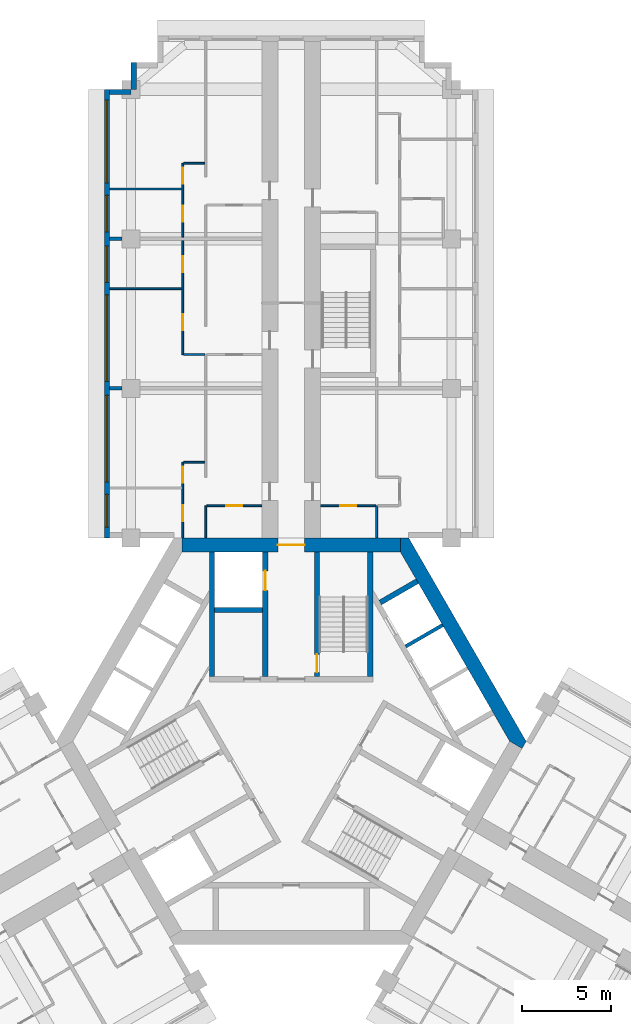
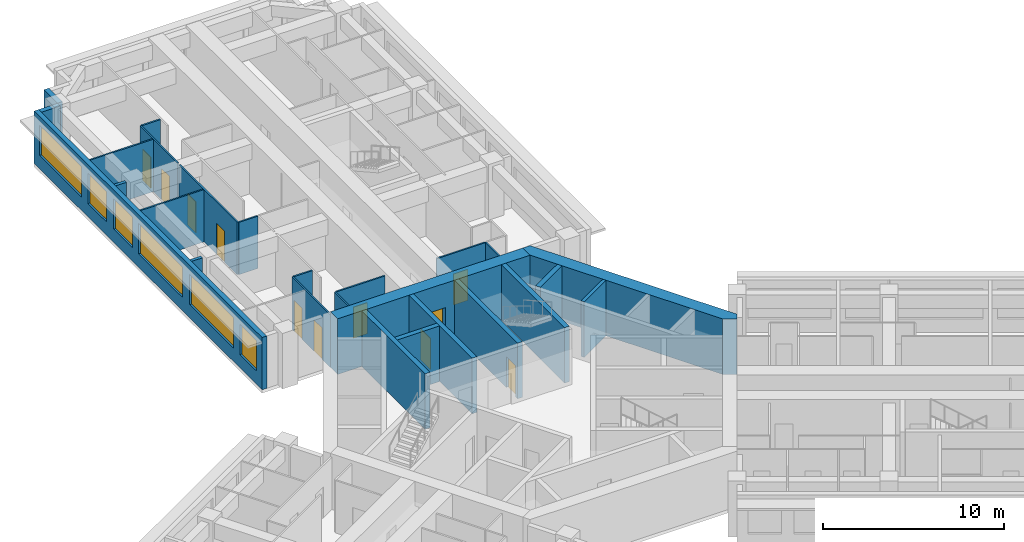
# One storey, part 8 of 12: 26 walls, 11 doors, 6 windows, 17 openings.
"""IFC4 building model written with IfcOpenShell, lengths in metres."""

from ifc_helpers import new_model, si_unit, direction, frame, frame_2d, origin, place, context, subcontext, project, spatial, polyline, rectangle, outline, extrude, material, layer, layer_set, type_object, element, fill, save


model = new_model("IFC4")

# Units and contexts
model_context = context("Model", 3, precision=1e-05, world=origin(), true_north=direction((0.0, 1.0)))
body_context = subcontext(model_context, "Body", "Model", "MODEL_VIEW")
ifc_project = project(units=[si_unit("LENGTHUNIT", "METRE"), si_unit("AREAUNIT", "SQUARE_METRE"), si_unit("VOLUMEUNIT", "CUBIC_METRE"), si_unit("PLANEANGLEUNIT", "RADIAN"), si_unit("MASSUNIT", "GRAM", prefix="KILO")], contexts=[model_context])

# Site, building, storey
site_placement = place(None, origin())
site = spatial("IfcSite", under=ifc_project, at=site_placement, CompositionType="ELEMENT")
building_placement = place(site_placement, origin())
building = spatial("IfcBuilding", under=site, at=building_placement, Name="Impinga Residences", CompositionType="ELEMENT")
storey_placement = place(building_placement, frame((0.0, 0.0, 162.25)))
storey = spatial("IfcBuildingStorey", under=building, at=storey_placement, Name="L40", CompositionType="ELEMENT", Elevation=162.25)

# Wall, openings, windows
ifc_material_1 = material(Name="Terracotta rainscreen on blockwork", Category="masonry")
ifc_layer_1 = layer(ifc_material_1, 0.300048828125)
ifc_layer_set_1 = layer_set([ifc_layer_1], Name="EW1 external wall, terracotta rainscreen on blockwork 300")
wall_type_1 = type_object("IfcWallType", Name="EW1 external wall, terracotta rainscreen on blockwork 300", PredefinedType="SOLIDWALL", material=ifc_layer_set_1)
wall_1_placement = place(storey_placement, frame((-10.35009765625, 11.431640625, 0.0), z_axis=(0.0, 0.0, 1.0), x_axis=(0.0, 1.0, 0.0)))
wall_1 = element("IfcWall", 1, at=wall_1_placement, inside=storey, type_object=wall_type_1, Name="External wall EW1 L40", PredefinedType="SOLIDWALL", context=body_context, shape_type="SweptSolid", body=[
    extrude(rectangle(XDim=25.199951171875, YDim=0.300048828125, at=frame_2d((12.60009765625, 0.0))), origin(), (0.0, 0.0, 1.0), 3.530029296875),
])
opening_1_placement = place(wall_1_placement, frame((0.60009765625, 0.0, 0.89990234375)))
opening_1 = element("IfcOpeningElement", 2, at=opening_1_placement, cuts=wall_1, Name="Opening W15", PredefinedType="OPENING", context=body_context, shape_type="SweptSolid", body=[
    extrude(rectangle(XDim=1.85009765625, YDim=2.050048828125, at=frame_2d((0.925048828125, 1.02490234375))), frame((0.0, 0.159912109375, 0.0), z_axis=(0.0, -1.0, 0.0), x_axis=(1.0, 0.0, 0.0)), (0.0, 0.0, 1.0), 0.320068359375),
])
opening_2_placement = place(wall_1_placement, frame((3.14990234375, 0.0, 0.89990234375)))
opening_2 = element("IfcOpeningElement", 3, at=opening_2_placement, cuts=wall_1, Name="Opening W6", PredefinedType="OPENING", context=body_context, shape_type="SweptSolid", body=[
    extrude(rectangle(XDim=4.85009765625, YDim=2.050048828125, at=frame_2d((2.425048828125, 1.02490234375))), frame((0.0, 0.159912109375, 0.0), z_axis=(0.0, -1.0, 0.0), x_axis=(1.0, 0.0, 0.0)), (0.0, 0.0, 1.0), 0.320068359375),
])
opening_3_placement = place(wall_1_placement, frame((8.800048828125, 0.0, 0.89990234375)))
opening_3 = element("IfcOpeningElement", 4, at=opening_3_placement, cuts=wall_1, Name="Opening W6", PredefinedType="OPENING", context=body_context, shape_type="SweptSolid", body=[
    extrude(rectangle(XDim=4.85009765625, YDim=2.050048828125, at=frame_2d((2.425048828125, 1.02490234375))), frame((0.0, 0.159912109375, 0.0), z_axis=(0.0, -1.0, 0.0), x_axis=(1.0, 0.0, 0.0)), (0.0, 0.0, 1.0), 0.320068359375),
])
opening_4_placement = place(wall_1_placement, frame((14.35009765625, 0.0, 0.89990234375)))
opening_4 = element("IfcOpeningElement", 5, at=opening_4_placement, cuts=wall_1, Name="Opening W14", PredefinedType="OPENING", context=body_context, shape_type="SweptSolid", body=[
    extrude(rectangle(XDim=2.050048828125, YDim=2.050048828125, at=frame_2d((1.02490234375, 1.02490234375))), frame((0.0, 0.159912109375, 0.0), z_axis=(0.0, -1.0, 0.0), x_axis=(1.0, 0.0, 0.0)), (0.0, 0.0, 1.0), 0.320068359375),
])
opening_5_placement = place(wall_1_placement, frame((17.199951171875, 0.0, 0.89990234375)))
opening_5 = element("IfcOpeningElement", 6, at=opening_5_placement, cuts=wall_1, Name="Opening W14", PredefinedType="OPENING", context=body_context, shape_type="SweptSolid", body=[
    extrude(rectangle(XDim=2.050048828125, YDim=2.050048828125, at=frame_2d((1.02490234375, 1.02490234375))), frame((0.0, 0.159912109375, 0.0), z_axis=(0.0, -1.0, 0.0), x_axis=(1.0, 0.0, 0.0)), (0.0, 0.0, 1.0), 0.320068359375),
])
opening_6_placement = place(wall_1_placement, frame((19.949951171875, 0.0, 0.89990234375)))
opening_6 = element("IfcOpeningElement", 7, at=opening_6_placement, cuts=wall_1, Name="Opening W10", PredefinedType="OPENING", context=body_context, shape_type="SweptSolid", body=[
    extrude(rectangle(XDim=4.64990234375, YDim=2.050048828125, at=frame_2d((2.324951171875, 1.02490234375))), frame((0.0, 0.159912109375, 0.0), z_axis=(0.0, -1.0, 0.0), x_axis=(1.0, 0.0, 0.0)), (0.0, 0.0, 1.0), 0.320068359375),
])
ifc_material_2 = material(Name="Aluminium window, clear double glazing", Category="aluminium")
window_type_1 = type_object("IfcWindowType", Name="W10 ribbon window 4650x2050", PartitioningType="SINGLE_PANEL", PredefinedType="WINDOW", material=ifc_material_2)
window_1_placement = place(opening_6_placement, origin())
window_1 = element("IfcWindow", 8, at=window_1_placement, inside=storey, type_object=window_type_1, Name="Window L40", OverallHeight=2.050048828125, OverallWidth=4.64990234375, PartitioningType="SINGLE_PANEL", PredefinedType="WINDOW", context=body_context, shape_type="SweptSolid", body=[
    extrude(rectangle(XDim=4.64990234375, YDim=2.050048828125, at=frame_2d((2.324951171875, 1.02490234375))), frame((0.0, 0.030029296875, 0.0), z_axis=(0.0, -1.0, 0.0), x_axis=(1.0, 0.0, 0.0)), (0.0, 0.0, 1.0), 0.06005859375),
])
fill(opening_6, window_1)
window_type_2 = type_object("IfcWindowType", Name="W14 ribbon window 2050x2050", PartitioningType="SINGLE_PANEL", PredefinedType="WINDOW", material=ifc_material_2)
window_2_placement = place(opening_4_placement, origin())
window_2 = element("IfcWindow", 9, at=window_2_placement, inside=storey, type_object=window_type_2, Name="Window L40", OverallHeight=2.050048828125, OverallWidth=2.050048828125, PartitioningType="SINGLE_PANEL", PredefinedType="WINDOW", context=body_context, shape_type="SweptSolid", body=[
    extrude(rectangle(XDim=2.050048828125, YDim=2.050048828125, at=frame_2d((1.02490234375, 1.02490234375))), frame((0.0, 0.030029296875, 0.0), z_axis=(0.0, -1.0, 0.0), x_axis=(1.0, 0.0, 0.0)), (0.0, 0.0, 1.0), 0.06005859375),
])
fill(opening_4, window_2)
window_3_placement = place(opening_5_placement, origin())
window_3 = element("IfcWindow", 10, at=window_3_placement, inside=storey, type_object=window_type_2, Name="Window L40", OverallHeight=2.050048828125, OverallWidth=2.050048828125, PartitioningType="SINGLE_PANEL", PredefinedType="WINDOW", context=body_context, shape_type="SweptSolid", body=[
    extrude(rectangle(XDim=2.050048828125, YDim=2.050048828125, at=frame_2d((1.02490234375, 1.02490234375))), frame((0.0, 0.030029296875, 0.0), z_axis=(0.0, -1.0, 0.0), x_axis=(1.0, 0.0, 0.0)), (0.0, 0.0, 1.0), 0.06005859375),
])
fill(opening_5, window_3)
window_type_3 = type_object("IfcWindowType", Name="W15 ribbon window 1850x2050", PartitioningType="SINGLE_PANEL", PredefinedType="WINDOW", material=ifc_material_2)
window_4_placement = place(opening_1_placement, origin())
window_4 = element("IfcWindow", 11, at=window_4_placement, inside=storey, type_object=window_type_3, Name="Window L40", OverallHeight=2.050048828125, OverallWidth=1.85009765625, PartitioningType="SINGLE_PANEL", PredefinedType="WINDOW", context=body_context, shape_type="SweptSolid", body=[
    extrude(rectangle(XDim=1.85009765625, YDim=2.050048828125, at=frame_2d((0.925048828125, 1.02490234375))), frame((0.0, 0.030029296875, 0.0), z_axis=(0.0, -1.0, 0.0), x_axis=(1.0, 0.0, 0.0)), (0.0, 0.0, 1.0), 0.06005859375),
])
fill(opening_1, window_4)
window_type_4 = type_object("IfcWindowType", Name="W6 ribbon window 4850x2050", PartitioningType="SINGLE_PANEL", PredefinedType="WINDOW", material=ifc_material_2)
window_5_placement = place(opening_2_placement, origin())
window_5 = element("IfcWindow", 12, at=window_5_placement, inside=storey, type_object=window_type_4, Name="Window L40", OverallHeight=2.050048828125, OverallWidth=4.85009765625, PartitioningType="SINGLE_PANEL", PredefinedType="WINDOW", context=body_context, shape_type="SweptSolid", body=[
    extrude(rectangle(XDim=4.85009765625, YDim=2.050048828125, at=frame_2d((2.425048828125, 1.02490234375))), frame((0.0, 0.030029296875, 0.0), z_axis=(0.0, -1.0, 0.0), x_axis=(1.0, 0.0, 0.0)), (0.0, 0.0, 1.0), 0.06005859375),
])
fill(opening_2, window_5)
window_6_placement = place(opening_3_placement, origin())
window_6 = element("IfcWindow", 13, at=window_6_placement, inside=storey, type_object=window_type_4, Name="Window L40", OverallHeight=2.050048828125, OverallWidth=4.85009765625, PartitioningType="SINGLE_PANEL", PredefinedType="WINDOW", context=body_context, shape_type="SweptSolid", body=[
    extrude(rectangle(XDim=4.85009765625, YDim=2.050048828125, at=frame_2d((2.425048828125, 1.02490234375))), frame((0.0, 0.030029296875, 0.0), z_axis=(0.0, -1.0, 0.0), x_axis=(1.0, 0.0, 0.0)), (0.0, 0.0, 1.0), 0.06005859375),
])
fill(opening_3, window_6)

# Walls
wall_2_placement = place(storey_placement, frame((-10.199951171875, 36.4814453125, 0.0), z_axis=(0.0, 0.0, 1.0), x_axis=(1.0, 0.0, 0.0)))
element("IfcWall", 14, at=wall_2_placement, inside=storey, type_object=wall_type_1, Name="External wall EW1 L40", PredefinedType="SOLIDWALL", context=body_context, shape_type="SweptSolid", body=[
    extrude(rectangle(XDim=1.199951171875, YDim=0.300048828125, at=frame_2d((0.60009765625, 0.0))), origin(), (0.0, 0.0, 1.0), 3.530029296875),
])
wall_3_placement = place(storey_placement, frame((-8.85009765625, 36.636474609375, 0.0), z_axis=(0.0, 0.0, 1.0), x_axis=(0.0, 1.0, 0.0)))
element("IfcWall", 15, at=wall_3_placement, inside=storey, type_object=wall_type_1, Name="External wall EW1 L40", PredefinedType="SOLIDWALL", context=body_context, shape_type="SweptSolid", body=[
    extrude(rectangle(XDim=1.4951171875, YDim=0.300048828125, at=frame_2d((0.74755859375, 0.0))), origin(), (0.0, 0.0, 1.0), 3.530029296875),
])
ifc_material_3 = material(Name="Gypsum board on steel studs", Category="steel")
ifc_layer_2 = layer(ifc_material_3, 0.10009765625)
ifc_layer_set_2 = layer_set([ifc_layer_2], Name="Gypsum board on steel studs")
wall_type_2 = type_object("IfcWallType", Name="IP1 partition 100", PredefinedType="PARTITIONING", material=ifc_layer_set_2)
wall_4_placement = place(storey_placement, frame((-4.800048828125, 11.431640625, 0.0), z_axis=(0.0, 0.0, 1.0), x_axis=(0.0, 1.0, 0.0)))
element("IfcWall", 16, at=wall_4_placement, inside=storey, type_object=wall_type_2, Name="Partition L40-NA1:DIV0", PredefinedType="PARTITIONING", context=body_context, shape_type="SweptSolid", body=[
    extrude(rectangle(XDim=1.7998046875, YDim=0.10009765625, at=frame_2d((0.89990234375, 0.0))), origin(), (0.0, 0.0, 1.0), 3.530029296875),
])

# Wall, openings, doors
wall_5_placement = place(storey_placement, frame((-6.10009765625, 11.431640625, 0.0), z_axis=(0.0, 0.0, 1.0), x_axis=(0.0, 1.0, 0.0)))
wall_5 = element("IfcWall", 17, at=wall_5_placement, inside=storey, type_object=wall_type_2, Name="Partition L40-NA1:STRIP", PredefinedType="PARTITIONING", context=body_context, shape_type="SweptSolid", body=[
    extrude(rectangle(XDim=4.25, YDim=0.10009765625, at=frame_2d((2.125, 0.0))), origin(), (0.0, 0.0, 1.0), 3.530029296875),
])
opening_7_placement = place(wall_5_placement, frame((0.925048828125, 0.0, 0.0)))
opening_7 = element("IfcOpeningElement", 18, at=opening_7_placement, cuts=wall_5, Name="Opening D2", PredefinedType="OPENING", context=body_context, shape_type="SweptSolid", body=[
    extrude(rectangle(XDim=0.89990234375, YDim=2.10009765625, at=frame_2d((0.449951171875, 1.050048828125))), frame((0.0, 0.06005859375, 0.0), z_axis=(0.0, -1.0, 0.0), x_axis=(1.0, 0.0, 0.0)), (0.0, 0.0, 1.0), 0.1201171875),
])
opening_8_placement = place(wall_5_placement, frame((3.10009765625, 0.0, 0.0)))
opening_8 = element("IfcOpeningElement", 19, at=opening_8_placement, cuts=wall_5, Name="Opening D2", PredefinedType="OPENING", context=body_context, shape_type="SweptSolid", body=[
    extrude(rectangle(XDim=0.89990234375, YDim=2.10009765625, at=frame_2d((0.449951171875, 1.050048828125))), frame((0.0, 0.06005859375, 0.0), z_axis=(0.0, -1.0, 0.0), x_axis=(1.0, 0.0, 0.0)), (0.0, 0.0, 1.0), 0.1201171875),
])
ifc_material_4 = material(Name="Timber door set", Category="wood")
door_type_1 = type_object("IfcDoorType", Name="D2 internal door 900x2100", OperationType="SINGLE_SWING_LEFT", PredefinedType="DOOR", material=ifc_material_4)
door_1_placement = place(opening_7_placement, origin())
door_1 = element("IfcDoor", 20, at=door_1_placement, inside=storey, type_object=door_type_1, Name="Apartment L40-NA1 room door", OperationType="SINGLE_SWING_LEFT", OverallHeight=2.10009765625, OverallWidth=0.89990234375, PredefinedType="DOOR", context=body_context, shape_type="SweptSolid", body=[
    extrude(rectangle(XDim=0.89990234375, YDim=2.10009765625, at=frame_2d((0.449951171875, 1.050048828125))), frame((0.0, 0.02490234375, 0.0), z_axis=(0.0, -1.0, 0.0), x_axis=(1.0, 0.0, 0.0)), (0.0, 0.0, 1.0), 0.050048828125),
])
fill(opening_7, door_1)
door_2_placement = place(opening_8_placement, origin())
door_2 = element("IfcDoor", 21, at=door_2_placement, inside=storey, type_object=door_type_1, Name="Apartment L40-NA1 room door", OperationType="SINGLE_SWING_RIGHT", OverallHeight=2.10009765625, OverallWidth=0.89990234375, PredefinedType="DOOR", context=body_context, shape_type="SweptSolid", body=[
    extrude(rectangle(XDim=0.89990234375, YDim=2.10009765625, at=frame_2d((0.449951171875, 1.050048828125))), frame((0.0, 0.02490234375, 0.0), z_axis=(0.0, -1.0, 0.0), x_axis=(1.0, 0.0, 0.0)), (0.0, 0.0, 1.0), 0.050048828125),
])
fill(opening_8, door_2)

# Wall
wall_6_placement = place(storey_placement, frame((-4.85009765625, 15.681640625, 0.0), z_axis=(0.0, 0.0, 1.0), x_axis=(-1.0, 0.0, 0.0)))
element("IfcWall", 22, at=wall_6_placement, inside=storey, type_object=wall_type_2, Name="Partition L40-NA1:SE1", PredefinedType="PARTITIONING", context=body_context, shape_type="SweptSolid", body=[
    extrude(rectangle(XDim=1.199951171875, YDim=0.10009765625, at=frame_2d((0.60009765625, 0.0))), origin(), (0.0, 0.0, 1.0), 3.530029296875),
])

# Wall, opening, door
wall_7_placement = place(storey_placement, frame((-1.64990234375, 13.2314453125, 0.0), z_axis=(0.0, 0.0, 1.0), x_axis=(-1.0, 0.0, 0.0)))
wall_7 = element("IfcWall", 23, at=wall_7_placement, inside=storey, type_object=wall_type_2, Name="Partition L40-NA1:IB1", PredefinedType="PARTITIONING", context=body_context, shape_type="SweptSolid", body=[
    extrude(rectangle(XDim=3.10009765625, YDim=0.10009765625, at=frame_2d((1.550048828125, 0.0))), origin(), (0.0, 0.0, 1.0), 3.530029296875),
])
opening_9_placement = place(wall_7_placement, frame((1.10009765625, 0.0, 0.0)))
opening_9 = element("IfcOpeningElement", 24, at=opening_9_placement, cuts=wall_7, Name="Opening D2", PredefinedType="OPENING", context=body_context, shape_type="SweptSolid", body=[
    extrude(rectangle(XDim=0.89990234375, YDim=2.10009765625, at=frame_2d((0.449951171875, 1.050048828125))), frame((0.0, 0.06005859375, 0.0), z_axis=(0.0, -1.0, 0.0), x_axis=(1.0, 0.0, 0.0)), (0.0, 0.0, 1.0), 0.1201171875),
])
door_3_placement = place(opening_9_placement, origin())
door_3 = element("IfcDoor", 25, at=door_3_placement, inside=storey, type_object=door_type_1, Name="Apartment L40-NA1 bathroom door", OperationType="SINGLE_SWING_LEFT", OverallHeight=2.10009765625, OverallWidth=0.89990234375, PredefinedType="DOOR", context=body_context, shape_type="SweptSolid", body=[
    extrude(rectangle(XDim=0.89990234375, YDim=2.10009765625, at=frame_2d((0.449951171875, 1.050048828125))), frame((0.0, 0.02490234375, 0.0), z_axis=(0.0, -1.0, 0.0), x_axis=(1.0, 0.0, 0.0)), (0.0, 0.0, 1.0), 0.050048828125),
])
fill(opening_9, door_3)

# Wall, openings, doors
wall_8_placement = place(storey_placement, frame((-6.10009765625, 21.7314453125, 0.0), z_axis=(0.0, 0.0, 1.0), x_axis=(0.0, 1.0, 0.0)))
wall_8 = element("IfcWall", 26, at=wall_8_placement, inside=storey, type_object=wall_type_2, Name="Partition L40-NA2:STRIP", PredefinedType="PARTITIONING", context=body_context, shape_type="SweptSolid", body=[
    extrude(rectangle(XDim=6.400146484375, YDim=0.10009765625, at=frame_2d((3.2001953125, 0.0))), origin(), (0.0, 0.0, 1.0), 3.530029296875),
])
opening_10_placement = place(wall_8_placement, frame((1.375, 0.0, 0.0)))
opening_10 = element("IfcOpeningElement", 27, at=opening_10_placement, cuts=wall_8, Name="Opening D2", PredefinedType="OPENING", context=body_context, shape_type="SweptSolid", body=[
    extrude(rectangle(XDim=0.89990234375, YDim=2.10009765625, at=frame_2d((0.449951171875, 1.050048828125))), frame((0.0, 0.06005859375, 0.0), z_axis=(0.0, -1.0, 0.0), x_axis=(1.0, 0.0, 0.0)), (0.0, 0.0, 1.0), 0.1201171875),
])
opening_11_placement = place(wall_8_placement, frame((4.625, 0.0, 0.0)))
opening_11 = element("IfcOpeningElement", 28, at=opening_11_placement, cuts=wall_8, Name="Opening D2", PredefinedType="OPENING", context=body_context, shape_type="SweptSolid", body=[
    extrude(rectangle(XDim=0.89990234375, YDim=2.10009765625, at=frame_2d((0.449951171875, 1.050048828125))), frame((0.0, 0.06005859375, 0.0), z_axis=(0.0, -1.0, 0.0), x_axis=(1.0, 0.0, 0.0)), (0.0, 0.0, 1.0), 0.1201171875),
])
door_4_placement = place(opening_10_placement, origin())
door_4 = element("IfcDoor", 29, at=door_4_placement, inside=storey, type_object=door_type_1, Name="Apartment L40-NA2 room door", OperationType="SINGLE_SWING_LEFT", OverallHeight=2.10009765625, OverallWidth=0.89990234375, PredefinedType="DOOR", context=body_context, shape_type="SweptSolid", body=[
    extrude(rectangle(XDim=0.89990234375, YDim=2.10009765625, at=frame_2d((0.449951171875, 1.050048828125))), frame((0.0, 0.02490234375, 0.0), z_axis=(0.0, -1.0, 0.0), x_axis=(1.0, 0.0, 0.0)), (0.0, 0.0, 1.0), 0.050048828125),
])
fill(opening_10, door_4)
door_5_placement = place(opening_11_placement, origin())
door_5 = element("IfcDoor", 30, at=door_5_placement, inside=storey, type_object=door_type_1, Name="Apartment L40-NA2 room door", OperationType="SINGLE_SWING_RIGHT", OverallHeight=2.10009765625, OverallWidth=0.89990234375, PredefinedType="DOOR", context=body_context, shape_type="SweptSolid", body=[
    extrude(rectangle(XDim=0.89990234375, YDim=2.10009765625, at=frame_2d((0.449951171875, 1.050048828125))), frame((0.0, 0.02490234375, 0.0), z_axis=(0.0, -1.0, 0.0), x_axis=(1.0, 0.0, 0.0)), (0.0, 0.0, 1.0), 0.050048828125),
])
fill(opening_11, door_5)

# Walls
wall_9_placement = place(storey_placement, frame((-4.85009765625, 21.7314453125, 0.0), z_axis=(0.0, 0.0, 1.0), x_axis=(-1.0, 0.0, 0.0)))
element("IfcWall", 31, at=wall_9_placement, inside=storey, type_object=wall_type_2, Name="Partition L40-NA2:SE0", PredefinedType="PARTITIONING", context=body_context, shape_type="SweptSolid", body=[
    extrude(rectangle(XDim=1.199951171875, YDim=0.10009765625, at=frame_2d((0.60009765625, 0.0))), origin(), (0.0, 0.0, 1.0), 3.530029296875),
])
wall_10_placement = place(storey_placement, frame((-6.14990234375, 25.431640625, 0.0), z_axis=(0.0, 0.0, 1.0), x_axis=(-1.0, 0.0, 0.0)))
element("IfcWall", 32, at=wall_10_placement, inside=storey, type_object=wall_type_2, Name="Partition L40-NA2:OB1", PredefinedType="PARTITIONING", context=body_context, shape_type="SweptSolid", body=[
    extrude(rectangle(XDim=4.050048828125, YDim=0.10009765625, at=frame_2d((2.02490234375, 0.0))), origin(), (0.0, 0.0, 1.0), 3.530029296875),
])

# Wall, openings, doors
wall_11_placement = place(storey_placement, frame((-6.10009765625, 28.33154296875, 0.0), z_axis=(0.0, 0.0, 1.0), x_axis=(0.0, 1.0, 0.0)))
wall_11 = element("IfcWall", 33, at=wall_11_placement, inside=storey, type_object=wall_type_2, Name="Partition L40-NA3:STRIP", PredefinedType="PARTITIONING", context=body_context, shape_type="SweptSolid", body=[
    extrude(rectangle(XDim=4.14990234375, YDim=0.10009765625, at=frame_2d((2.074951171875, 0.0))), origin(), (0.0, 0.0, 1.0), 3.530029296875),
])
opening_12_placement = place(wall_11_placement, frame((0.875, 0.0, 0.0)))
opening_12 = element("IfcOpeningElement", 34, at=opening_12_placement, cuts=wall_11, Name="Opening D2", PredefinedType="OPENING", context=body_context, shape_type="SweptSolid", body=[
    extrude(rectangle(XDim=0.89990234375, YDim=2.10009765625, at=frame_2d((0.449951171875, 1.050048828125))), frame((0.0, 0.06005859375, 0.0), z_axis=(0.0, -1.0, 0.0), x_axis=(1.0, 0.0, 0.0)), (0.0, 0.0, 1.0), 0.1201171875),
])
opening_13_placement = place(wall_11_placement, frame((3.0, 0.0, 0.0)))
opening_13 = element("IfcOpeningElement", 35, at=opening_13_placement, cuts=wall_11, Name="Opening D2", PredefinedType="OPENING", context=body_context, shape_type="SweptSolid", body=[
    extrude(rectangle(XDim=0.89990234375, YDim=2.10009765625, at=frame_2d((0.449951171875, 1.050048828125))), frame((0.0, 0.06005859375, 0.0), z_axis=(0.0, -1.0, 0.0), x_axis=(1.0, 0.0, 0.0)), (0.0, 0.0, 1.0), 0.1201171875),
])
door_6_placement = place(opening_12_placement, origin())
door_6 = element("IfcDoor", 36, at=door_6_placement, inside=storey, type_object=door_type_1, Name="Apartment L40-NA3 room door", OperationType="SINGLE_SWING_LEFT", OverallHeight=2.10009765625, OverallWidth=0.89990234375, PredefinedType="DOOR", context=body_context, shape_type="SweptSolid", body=[
    extrude(rectangle(XDim=0.89990234375, YDim=2.10009765625, at=frame_2d((0.449951171875, 1.050048828125))), frame((0.0, 0.02490234375, 0.0), z_axis=(0.0, -1.0, 0.0), x_axis=(1.0, 0.0, 0.0)), (0.0, 0.0, 1.0), 0.050048828125),
])
fill(opening_12, door_6)
door_7_placement = place(opening_13_placement, origin())
door_7 = element("IfcDoor", 37, at=door_7_placement, inside=storey, type_object=door_type_1, Name="Apartment L40-NA3 room door", OperationType="SINGLE_SWING_RIGHT", OverallHeight=2.10009765625, OverallWidth=0.89990234375, PredefinedType="DOOR", context=body_context, shape_type="SweptSolid", body=[
    extrude(rectangle(XDim=0.89990234375, YDim=2.10009765625, at=frame_2d((0.449951171875, 1.050048828125))), frame((0.0, 0.02490234375, 0.0), z_axis=(0.0, -1.0, 0.0), x_axis=(1.0, 0.0, 0.0)), (0.0, 0.0, 1.0), 0.050048828125),
])
fill(opening_13, door_7)

# Walls
wall_12_placement = place(storey_placement, frame((-4.85009765625, 32.4814453125, 0.0), z_axis=(0.0, 0.0, 1.0), x_axis=(-1.0, 0.0, 0.0)))
element("IfcWall", 38, at=wall_12_placement, inside=storey, type_object=wall_type_2, Name="Partition L40-NA3:SE1", PredefinedType="PARTITIONING", context=body_context, shape_type="SweptSolid", body=[
    extrude(rectangle(XDim=1.199951171875, YDim=0.10009765625, at=frame_2d((0.60009765625, 0.0))), origin(), (0.0, 0.0, 1.0), 3.530029296875),
])
wall_13_placement = place(storey_placement, frame((-6.14990234375, 31.031494140625, 0.0), z_axis=(0.0, 0.0, 1.0), x_axis=(-1.0, 0.0, 0.0)))
element("IfcWall", 39, at=wall_13_placement, inside=storey, type_object=wall_type_2, Name="Partition L40-NA3:OB1", PredefinedType="PARTITIONING", context=body_context, shape_type="SweptSolid", body=[
    extrude(rectangle(XDim=4.050048828125, YDim=0.10009765625, at=frame_2d((2.02490234375, 0.0))), origin(), (0.0, 0.0, 1.0), 3.530029296875),
])
wall_14_placement = place(storey_placement, frame((4.800048828125, 11.431640625, 0.0), z_axis=(0.0, 0.0, 1.0), x_axis=(0.0, 1.0, 0.0)))
element("IfcWall", 40, at=wall_14_placement, inside=storey, type_object=wall_type_2, Name="Partition L40-NF1:DIV0", PredefinedType="PARTITIONING", context=body_context, shape_type="SweptSolid", body=[
    extrude(rectangle(XDim=1.7998046875, YDim=0.10009765625, at=frame_2d((0.89990234375, 0.0))), origin(), (0.0, 0.0, 1.0), 3.530029296875),
])

# Wall, opening, door
wall_15_placement = place(storey_placement, frame((1.64990234375, 13.2314453125, 0.0), z_axis=(0.0, 0.0, 1.0), x_axis=(1.0, 0.0, 0.0)))
wall_15 = element("IfcWall", 41, at=wall_15_placement, inside=storey, type_object=wall_type_2, Name="Partition L40-NF1:IB1", PredefinedType="PARTITIONING", context=body_context, shape_type="SweptSolid", body=[
    extrude(rectangle(XDim=3.10009765625, YDim=0.10009765625, at=frame_2d((1.550048828125, 0.0))), origin(), (0.0, 0.0, 1.0), 3.530029296875),
])
opening_14_placement = place(wall_15_placement, frame((1.10009765625, 0.0, 0.0)))
opening_14 = element("IfcOpeningElement", 42, at=opening_14_placement, cuts=wall_15, Name="Opening D2", PredefinedType="OPENING", context=body_context, shape_type="SweptSolid", body=[
    extrude(rectangle(XDim=0.89990234375, YDim=2.10009765625, at=frame_2d((0.449951171875, 1.050048828125))), frame((0.0, 0.06005859375, 0.0), z_axis=(0.0, -1.0, 0.0), x_axis=(1.0, 0.0, 0.0)), (0.0, 0.0, 1.0), 0.1201171875),
])
door_8_placement = place(opening_14_placement, origin())
door_8 = element("IfcDoor", 43, at=door_8_placement, inside=storey, type_object=door_type_1, Name="Apartment L40-NF1 bathroom door", OperationType="SINGLE_SWING_LEFT", OverallHeight=2.10009765625, OverallWidth=0.89990234375, PredefinedType="DOOR", context=body_context, shape_type="SweptSolid", body=[
    extrude(rectangle(XDim=0.89990234375, YDim=2.10009765625, at=frame_2d((0.449951171875, 1.050048828125))), frame((0.0, 0.02490234375, 0.0), z_axis=(0.0, -1.0, 0.0), x_axis=(1.0, 0.0, 0.0)), (0.0, 0.0, 1.0), 0.050048828125),
])
fill(opening_14, door_8)

# Walls
ifc_material_5 = material(Name="Concrete blockwork", Category="masonry")
ifc_layer_3 = layer(ifc_material_5, 0.199951171875)
ifc_layer_set_3 = layer_set([ifc_layer_3], Name="PW1 party wall between apartments 200")
wall_type_3 = type_object("IfcWallType", Name="PW1 party wall between apartments 200", PredefinedType="SOLIDWALL", material=ifc_layer_set_3)
for number, where, z_axis, x_axis, name in (
    (44, (-9.5, 19.83154296875, 0.0), (0.0, 0.0, 1.0), (-1.0, 0.0, 0.0), "Party wall between apartments L40-NA1:PARTYb"),
    (45, (-9.5, 28.2314453125, 0.0), (0.0, 0.0, 1.0), (-1.0, 0.0, 0.0), "Party wall between apartments L40-NA2:PARTYb"),
):
    element("IfcWall", number, at=place(storey_placement, frame(where, z_axis=z_axis, x_axis=x_axis)), inside=storey, type_object=wall_type_3, Name=name, PredefinedType="SOLIDWALL", context=body_context, shape_type="SweptSolid", body=[
        extrude(rectangle(XDim=0.699951171875, YDim=0.199951171875, at=frame_2d((0.35009765625, 0.0))), origin(), (0.0, 0.0, 1.0), 3.530029296875),
    ])

# Wall, opening, door
ifc_material_6 = material(Name="Concrete C60/75", Category="concrete")
ifc_layer_4 = layer(ifc_material_6, 0.800048828125)
ifc_layer_set_4 = layer_set([ifc_layer_4], Name="Concrete C60/75")
wall_type_4 = type_object("IfcWallType", Name="SW2 core wall 800", PredefinedType="SHEAR", material=ifc_layer_set_4)
wall_16_placement = place(storey_placement, frame((-6.13818359375, 11.031494140625, 0.0), z_axis=(0.0, 0.0, 1.0), x_axis=(1.0, 0.0, 0.0)))
wall_16 = element("IfcWall", 46, at=wall_16_placement, inside=storey, type_object=wall_type_4, Name="Core wall SW2 N:FACE L40", PredefinedType="SHEAR", context=body_context, shape_type="SweptSolid", body=[
    extrude(rectangle(XDim=12.2763671875, YDim=0.800048828125, at=frame_2d((6.13818359375, 0.0))), origin(), (0.0, 0.0, 1.0), 3.75),
])
opening_15_placement = place(wall_16_placement, frame((5.38818359375, 0.0, 0.0)))
opening_15 = element("IfcOpeningElement", 47, at=opening_15_placement, cuts=wall_16, Name="Opening D4", PredefinedType="OPENING", context=body_context, shape_type="SweptSolid", body=[
    extrude(rectangle(XDim=1.5, YDim=2.10009765625, at=frame_2d((0.75, 1.050048828125))), frame((0.0, 0.409912109375, 0.0), z_axis=(0.0, -1.0, 0.0), x_axis=(1.0, 0.0, 0.0)), (0.0, 0.0, 1.0), 0.820068359375),
])
door_type_2 = type_object("IfcDoorType", Name="D4 lobby door pair 1500x2100", OperationType="DOUBLE_DOOR_DOUBLE_SWING", PredefinedType="DOOR", material=ifc_material_4)
door_9_placement = place(opening_15_placement, origin())
door_9 = element("IfcDoor", 48, at=door_9_placement, inside=storey, type_object=door_type_2, Name="Lobby door N", OperationType="DOUBLE_DOOR_DOUBLE_SWING", OverallHeight=2.10009765625, OverallWidth=1.5, PredefinedType="DOOR", context=body_context, shape_type="SweptSolid", body=[
    extrude(rectangle(XDim=1.5, YDim=2.10009765625, at=frame_2d((0.75, 1.050048828125))), frame((0.0, 0.02490234375, 0.0), z_axis=(0.0, -1.0, 0.0), x_axis=(1.0, 0.0, 0.0)), (0.0, 0.0, 1.0), 0.050048828125),
])
fill(opening_15, door_9)

# Wall
wall_17_placement = place(storey_placement, origin())
element("IfcWall", 49, at=wall_17_placement, inside=storey, type_object=wall_type_4, Name="Core wall SW2 W:EXPOSED L40", PredefinedType="SHEAR", context=body_context, shape_type="SweptSolid", body=[
    extrude(outline(polyline([(13.199951171875, 0.0), (6.60009765625, 11.431640625), (6.13818359375, 11.431640625), (6.13818359375, 10.631591796875), (12.276123046875, 0.0), (12.968994140625, -0.39990234375), (13.199951171875, 0.0)])), origin(), (0.0, 0.0, 1.0), 3.75),
])

# Wall, opening, door
ifc_material_7 = material(Name="Concrete C70/85", Category="concrete")
ifc_layer_5 = layer(ifc_material_7, 0.300048828125)
ifc_layer_set_5 = layer_set([ifc_layer_5], Name="Concrete C70/85")
wall_type_5 = type_object("IfcWallType", Name="SW5 core inner wall, stairs, shafts and lobbies 300", PredefinedType="SHEAR", material=ifc_layer_set_5)
wall_18_placement = place(storey_placement, frame((1.449951171875, 3.6298828125, 0.0), z_axis=(0.0, 0.0, 1.0), x_axis=(0.0, 1.0, 0.0)))
wall_18 = element("IfcWall", 50, at=wall_18_placement, inside=storey, type_object=wall_type_5, Name="Core wall SW5 N:ST-IN L40", PredefinedType="SHEAR", context=body_context, shape_type="SweptSolid", body=[
    extrude(rectangle(XDim=7.001708984375, YDim=0.300048828125, at=frame_2d((3.5009765625, 0.0))), origin(), (0.0, 0.0, 1.0), 3.75),
])
opening_16_placement = place(wall_18_placement, frame((0.25, 0.0, 0.0)))
opening_16 = element("IfcOpeningElement", 51, at=opening_16_placement, cuts=wall_18, Name="Opening D5", PredefinedType="OPENING", context=body_context, shape_type="SweptSolid", body=[
    extrude(rectangle(XDim=1.0, YDim=2.10009765625, at=frame_2d((0.5, 1.050048828125))), frame((0.0, 0.159912109375, 0.0), z_axis=(0.0, -1.0, 0.0), x_axis=(1.0, 0.0, 0.0)), (0.0, 0.0, 1.0), 0.320068359375),
])
door_type_3 = type_object("IfcDoorType", Name="D5 stair door 1000x2100", OperationType="SINGLE_SWING_LEFT", PredefinedType="DOOR", material=ifc_material_4)
door_10_placement = place(opening_16_placement, origin())
door_10 = element("IfcDoor", 52, at=door_10_placement, inside=storey, type_object=door_type_3, Name="Stair door N", OperationType="SINGLE_SWING_LEFT", OverallHeight=2.10009765625, OverallWidth=1.0, PredefinedType="DOOR", context=body_context, shape_type="SweptSolid", body=[
    extrude(rectangle(XDim=1.0, YDim=2.10009765625, at=frame_2d((0.5, 1.050048828125))), frame((0.0, 0.02490234375, 0.0), z_axis=(0.0, -1.0, 0.0), x_axis=(1.0, 0.0, 0.0)), (0.0, 0.0, 1.0), 0.050048828125),
])
fill(opening_16, door_10)

# Wall
wall_19_placement = place(storey_placement, frame((4.449951171875, 3.6298828125, 0.0), z_axis=(0.0, 0.0, 1.0), x_axis=(0.0, 1.0, 0.0)))
element("IfcWall", 53, at=wall_19_placement, inside=storey, type_object=wall_type_5, Name="Core wall SW5 N:ST-OUT L40", PredefinedType="SHEAR", context=body_context, shape_type="SweptSolid", body=[
    extrude(rectangle(XDim=7.001708984375, YDim=0.300048828125, at=frame_2d((3.5009765625, 0.0))), origin(), (0.0, 0.0, 1.0), 3.75),
])

# Wall, opening, door
wall_20_placement = place(storey_placement, frame((-1.449951171875, 3.6298828125, 0.0), z_axis=(0.0, 0.0, 1.0), x_axis=(0.0, 1.0, 0.0)))
wall_20 = element("IfcWall", 54, at=wall_20_placement, inside=storey, type_object=wall_type_5, Name="Core wall SW5 N:FF-IN L40", PredefinedType="SHEAR", context=body_context, shape_type="SweptSolid", body=[
    extrude(rectangle(XDim=7.001708984375, YDim=0.300048828125, at=frame_2d((3.5009765625, 0.0))), origin(), (0.0, 0.0, 1.0), 3.75),
])
opening_17_placement = place(wall_20_placement, frame((4.85009765625, 0.0, 0.0)))
opening_17 = element("IfcOpeningElement", 55, at=opening_17_placement, cuts=wall_20, Name="Opening LD2", PredefinedType="OPENING", context=body_context, shape_type="SweptSolid", body=[
    extrude(rectangle(XDim=1.10009765625, YDim=2.10009765625, at=frame_2d((0.550048828125, 1.050048828125))), frame((0.0, 0.159912109375, 0.0), z_axis=(0.0, -1.0, 0.0), x_axis=(1.0, 0.0, 0.0)), (0.0, 0.0, 1.0), 0.320068359375),
])
ifc_material_8 = material(Name="Steel lift landing door", Category="steel")
door_type_4 = type_object("IfcDoorType", Name="LD2 firefighting lift landing door 1100x2100", OperationType="DOUBLE_DOOR_SLIDING", PredefinedType="DOOR", material=ifc_material_8)
door_11_placement = place(opening_17_placement, origin())
door_11 = element("IfcDoor", 56, at=door_11_placement, inside=storey, type_object=door_type_4, Name="Firefighting lift landing door F1", OperationType="DOUBLE_DOOR_SLIDING", OverallHeight=2.10009765625, OverallWidth=1.10009765625, PredefinedType="DOOR", context=body_context, shape_type="SweptSolid", body=[
    extrude(rectangle(XDim=1.10009765625, YDim=2.10009765625, at=frame_2d((0.550048828125, 1.050048828125))), frame((0.0, 0.02490234375, 0.0), z_axis=(0.0, -1.0, 0.0), x_axis=(1.0, 0.0, 0.0)), (0.0, 0.0, 1.0), 0.050048828125),
])
fill(opening_17, door_11)

# Walls
wall_21_placement = place(storey_placement, frame((-4.449951171875, 3.6298828125, 0.0), z_axis=(0.0, 0.0, 1.0), x_axis=(0.0, 1.0, 0.0)))
element("IfcWall", 57, at=wall_21_placement, inside=storey, type_object=wall_type_5, Name="Core wall SW5 N:FF-OUT L40", PredefinedType="SHEAR", context=body_context, shape_type="SweptSolid", body=[
    extrude(rectangle(XDim=7.001708984375, YDim=0.300048828125, at=frame_2d((3.5009765625, 0.0))), origin(), (0.0, 0.0, 1.0), 3.75),
])
wall_22_placement = place(storey_placement, frame((-4.300048828125, 7.3798828125, 0.0), z_axis=(0.0, 0.0, 1.0), x_axis=(1.0, 0.0, 0.0)))
element("IfcWall", 58, at=wall_22_placement, inside=storey, type_object=wall_type_5, Name="Core wall SW5 N:FF-RS L40", PredefinedType="SHEAR", context=body_context, shape_type="SweptSolid", body=[
    extrude(rectangle(XDim=2.699951171875, YDim=0.300048828125, at=frame_2d((1.35009765625, 0.0))), origin(), (0.0, 0.0, 1.0), 3.75),
])
wall_23_placement = place(storey_placement, frame((5.003662109375, 7.79638671875, 0.0), z_axis=(0.0, 0.0, 1.0), x_axis=(0.866050077142, 0.499957262057, 0.0)))
element("IfcWall", 59, at=wall_23_placement, inside=storey, type_object=wall_type_5, Name="Core wall SW5 W:BANK-L L40", PredefinedType="SHEAR", context=body_context, shape_type="SweptSolid", body=[
    extrude(rectangle(XDim=2.400146484375, YDim=0.300048828125, at=frame_2d((1.2001953125, 0.0))), origin(), (0.0, 0.0, 1.0), 3.75),
])
ifc_layer_6 = layer(ifc_material_7, 0.199951171875)
ifc_layer_set_6 = layer_set([ifc_layer_6], Name="Concrete C70/85")
wall_type_6 = type_object("IfcWallType", Name="SW6 lift shaft divider wall 200", PredefinedType="SHEAR", material=ifc_layer_set_6)
wall_24_placement = place(storey_placement, frame((6.4287109375, 5.328125, 0.0), z_axis=(0.0, 0.0, 1.0), x_axis=(0.865980596518, 0.500077600433, 0.0)))
element("IfcWall", 60, at=wall_24_placement, inside=storey, type_object=wall_type_6, Name="Core wall SW6 W:BANK-D1 L40", PredefinedType="SHEAR", context=body_context, shape_type="SweptSolid", body=[
    extrude(rectangle(XDim=2.39990234375, YDim=0.199951171875, at=frame_2d((1.199951171875, 0.0))), origin(), (0.0, 0.0, 1.0), 3.75),
])

save(model, "model.ifc")
